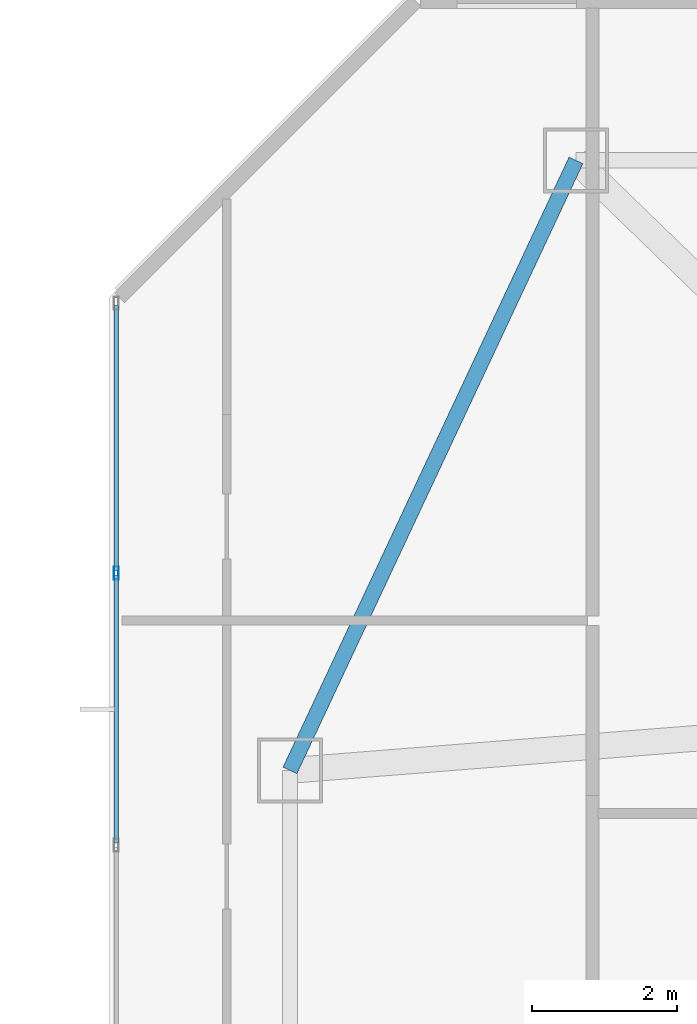
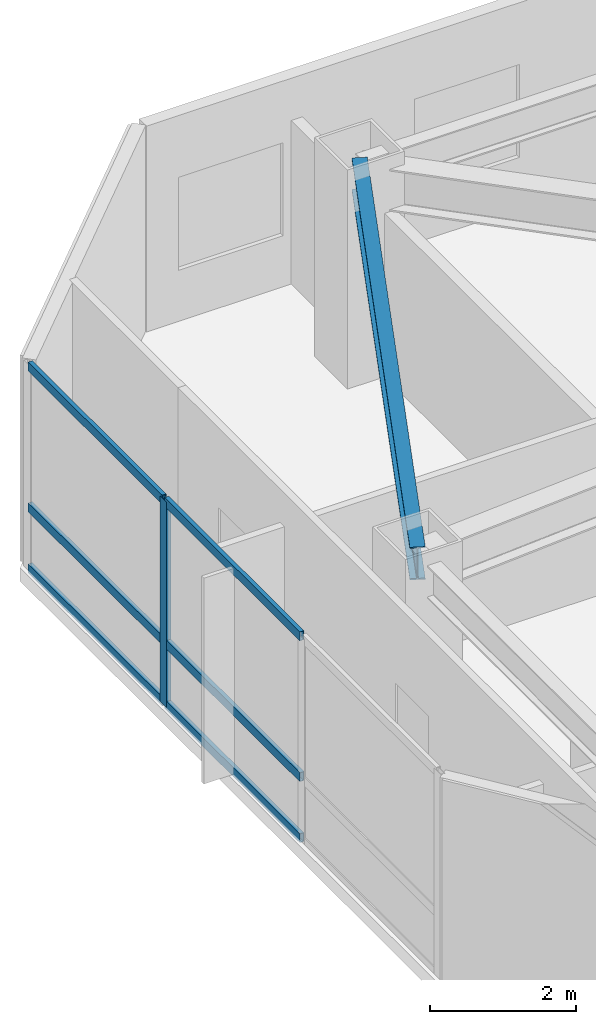
# One storey, part 3 of 18: 7 members, 1 beam, 1 element without a shape of its own.
"""IFC4 building model written with IfcOpenShell, lengths in metres."""

from ifc_helpers import new_model, si_unit, direction, frame, origin, origin_2d, place, context, subcontext, project, spatial, hollow_rectangle, i_section, extrude, material, material_profile, profile_set, type_object, element, aggregate, save


model = new_model("IFC4")

# Units and contexts
model_context = context("Model", 3, precision=1e-05, world=origin(), true_north=direction((0.0, 1.0)))
body_context = subcontext(model_context, "Body", "Model", "MODEL_VIEW")
ifc_project = project(units=[si_unit("LENGTHUNIT", "METRE"), si_unit("AREAUNIT", "SQUARE_METRE"), si_unit("VOLUMEUNIT", "CUBIC_METRE"), si_unit("PLANEANGLEUNIT", "RADIAN"), si_unit("MASSUNIT", "GRAM", prefix="KILO")], contexts=[model_context])

# Site, building, storey
site_placement = place(None, origin())
site = spatial("IfcSite", under=ifc_project, at=site_placement, CompositionType="ELEMENT")
building_placement = place(site_placement, origin())
building = spatial("IfcBuilding", under=site, at=building_placement, Name="Khamvora Tower", CompositionType="ELEMENT")
storey_placement = place(building_placement, frame((0.0, 0.0, 181.449951171875)))
storey = spatial("IfcBuildingStorey", under=building, at=storey_placement, Name="L46", CompositionType="ELEMENT", Elevation=181.449951171875)

# Beam
ifc_material_1 = material(Name="Steel S355", Category="steel")
ifc_material_profile_1 = material_profile(ifc_material_1, i_section(OverallWidth=0.2119140625, OverallDepth=0.5439453125, WebThickness=0.012939453125, FlangeThickness=0.02099609375, FilletRadius=0.013916015625, at=origin_2d()), Name="W530x123")
ifc_profile_set_1 = profile_set([ifc_material_profile_1], Name="Steel S355")
beam_type = type_object("IfcBeamType", Name="BM-SP-W530x123", PredefinedType="SPANDREL", material=ifc_profile_set_1)
beam_placement = place(storey_placement, frame((21.25, 44.5, 3.157958984375), z_axis=(-0.424496391454, -0.905429629315, 0.0), x_axis=(0.905429629315, -0.424496391454, 0.0)))
element("IfcBeam", 1, at=beam_placement, inside=storey, type_object=beam_type, Name="L46 perimeter spandrel beam N1-W2", PredefinedType="SPANDREL", context=body_context, shape_type="SweptSolid", body=[
    extrude(i_section(OverallWidth=0.2119140625, OverallDepth=0.5439453125, WebThickness=0.012939453125, FlangeThickness=0.02099609375, FilletRadius=0.013916015625, at=origin_2d()), origin(), (0.0, 0.0, 1.0), 9.304931640625),
])

# Curtain wall, members
ifc_material_2 = material(Name="Anodised Aluminium 6063-T6", Category="aluminium")
curtain_wall_type = type_object("IfcCurtainWallType", Name="CW-SYS-04", PredefinedType="NOTDEFINED", material=ifc_material_2)
curtain_wall_placement = place(storey_placement, origin())
curtain_wall = element("IfcCurtainWall", 2, at=curtain_wall_placement, inside=storey, type_object=curtain_wall_type, Name="L46 stick curtain wall 05.1", PredefinedType="NOTDEFINED")
ifc_material_profile_2 = material_profile(ifc_material_2, hollow_rectangle(XDim=0.06494140625, YDim=0.179931640625, WallThickness=0.0048828125, at=origin_2d()), Name="MUL65x180x5")
ifc_profile_set_2 = profile_set([ifc_material_profile_2], Name="Anodised Aluminium 6063-T6")
member_type_1 = type_object("IfcMemberType", Name="CW-SYS-04-MUL", PredefinedType="MULLION", material=ifc_profile_set_2)
member_1_placement = place(storey_placement, frame((14.89990234375, 38.80078125, 0.0), z_axis=(0.0, 0.0, 1.0), x_axis=(-1.0, 0.0, 0.0)))
member_1 = element("IfcMember", 3, at=member_1_placement, type_object=member_type_1, Name="CW-04 mullion 3", PredefinedType="MULLION", context=body_context, shape_type="SweptSolid", body=[
    extrude(hollow_rectangle(XDim=0.06494140625, YDim=0.179931640625, WallThickness=0.0048828125, at=origin_2d()), origin(), (0.0, 0.0, 1.0), 3.429931640625),
])
ifc_material_profile_3 = material_profile(ifc_material_2, hollow_rectangle(XDim=0.06494140625, YDim=0.14990234375, WallThickness=0.0048828125, at=origin_2d()), Name="TRN65x150x5")
ifc_profile_set_3 = profile_set([ifc_material_profile_3], Name="Anodised Aluminium 6063-T6")
member_type_2 = type_object("IfcMemberType", Name="CW-SYS-04-TRN", PredefinedType="USERDEFINED", material=ifc_profile_set_3)
member_2_placement = place(storey_placement, frame((14.89990234375, 35.074951171875, 0.032470703125), z_axis=(0.0, 1.0, 0.0), x_axis=(-1.0, 0.0, 0.0)))
member_2 = element("IfcMember", 4, at=member_2_placement, type_object=member_type_2, Name="CW-04 transom 2.1", ObjectType="TRANSOM", PredefinedType="USERDEFINED", context=body_context, shape_type="SweptSolid", body=[
    extrude(hollow_rectangle(XDim=0.06494140625, YDim=0.14990234375, WallThickness=0.0048828125, at=origin_2d()), origin(), (0.0, 0.0, 1.0), 3.693115234375),
])
member_3_placement = place(storey_placement, frame((14.89990234375, 35.074951171875, 1.050048828125), z_axis=(0.0, 1.0, 0.0), x_axis=(-1.0, 0.0, 0.0)))
member_3 = element("IfcMember", 5, at=member_3_placement, type_object=member_type_2, Name="CW-04 transom 2.2", ObjectType="TRANSOM", PredefinedType="USERDEFINED", context=body_context, shape_type="SweptSolid", body=[
    extrude(hollow_rectangle(XDim=0.06494140625, YDim=0.14990234375, WallThickness=0.0048828125, at=origin_2d()), origin(), (0.0, 0.0, 1.0), 3.693115234375),
])
member_4_placement = place(storey_placement, frame((14.89990234375, 35.074951171875, 3.3974609375), z_axis=(0.0, 1.0, 0.0), x_axis=(-1.0, 0.0, 0.0)))
member_4 = element("IfcMember", 6, at=member_4_placement, type_object=member_type_2, Name="CW-04 transom 2.3", ObjectType="TRANSOM", PredefinedType="USERDEFINED", context=body_context, shape_type="SweptSolid", body=[
    extrude(hollow_rectangle(XDim=0.06494140625, YDim=0.14990234375, WallThickness=0.0048828125, at=origin_2d()), origin(), (0.0, 0.0, 1.0), 3.693115234375),
])
member_5_placement = place(storey_placement, frame((14.89990234375, 38.833251953125, 0.032470703125), z_axis=(0.0, 1.0, 0.0), x_axis=(-1.0, 0.0, 0.0)))
member_5 = element("IfcMember", 7, at=member_5_placement, type_object=member_type_2, Name="CW-04 transom 3.1", ObjectType="TRANSOM", PredefinedType="USERDEFINED", context=body_context, shape_type="SweptSolid", body=[
    extrude(hollow_rectangle(XDim=0.06494140625, YDim=0.14990234375, WallThickness=0.0048828125, at=origin_2d()), origin(), (0.0, 0.0, 1.0), 3.66064453125),
])
member_6_placement = place(storey_placement, frame((14.89990234375, 38.833251953125, 1.050048828125), z_axis=(0.0, 1.0, 0.0), x_axis=(-1.0, 0.0, 0.0)))
member_6 = element("IfcMember", 8, at=member_6_placement, type_object=member_type_2, Name="CW-04 transom 3.2", ObjectType="TRANSOM", PredefinedType="USERDEFINED", context=body_context, shape_type="SweptSolid", body=[
    extrude(hollow_rectangle(XDim=0.06494140625, YDim=0.14990234375, WallThickness=0.0048828125, at=origin_2d()), origin(), (0.0, 0.0, 1.0), 3.66064453125),
])
member_7_placement = place(storey_placement, frame((14.89990234375, 38.833251953125, 3.3974609375), z_axis=(0.0, 1.0, 0.0), x_axis=(-1.0, 0.0, 0.0)))
member_7 = element("IfcMember", 9, at=member_7_placement, type_object=member_type_2, Name="CW-04 transom 3.3", ObjectType="TRANSOM", PredefinedType="USERDEFINED", context=body_context, shape_type="SweptSolid", body=[
    extrude(hollow_rectangle(XDim=0.06494140625, YDim=0.14990234375, WallThickness=0.0048828125, at=origin_2d()), origin(), (0.0, 0.0, 1.0), 3.66064453125),
])
aggregate(curtain_wall, [member_1, member_2, member_3, member_4, member_5, member_6, member_7])

save(model, "model.ifc")
